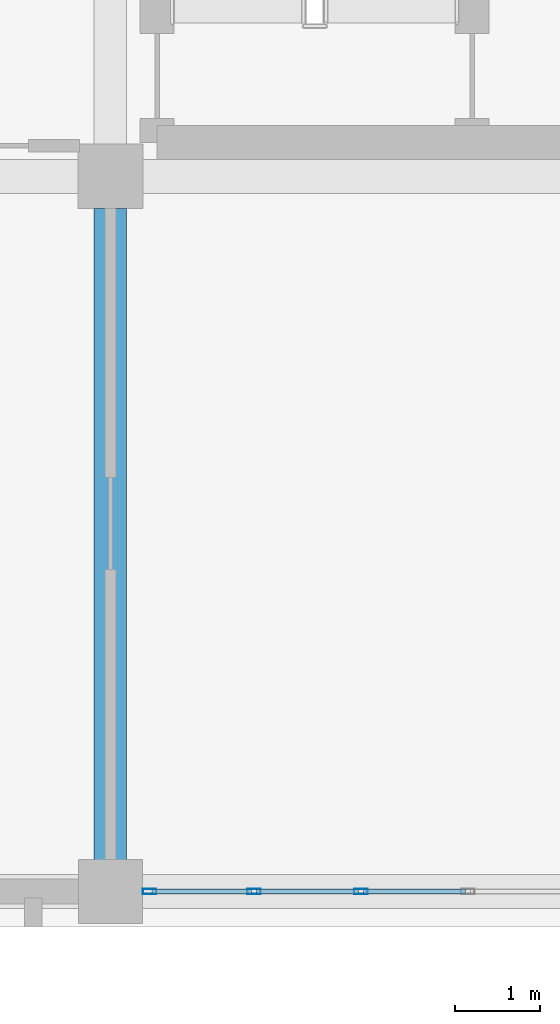
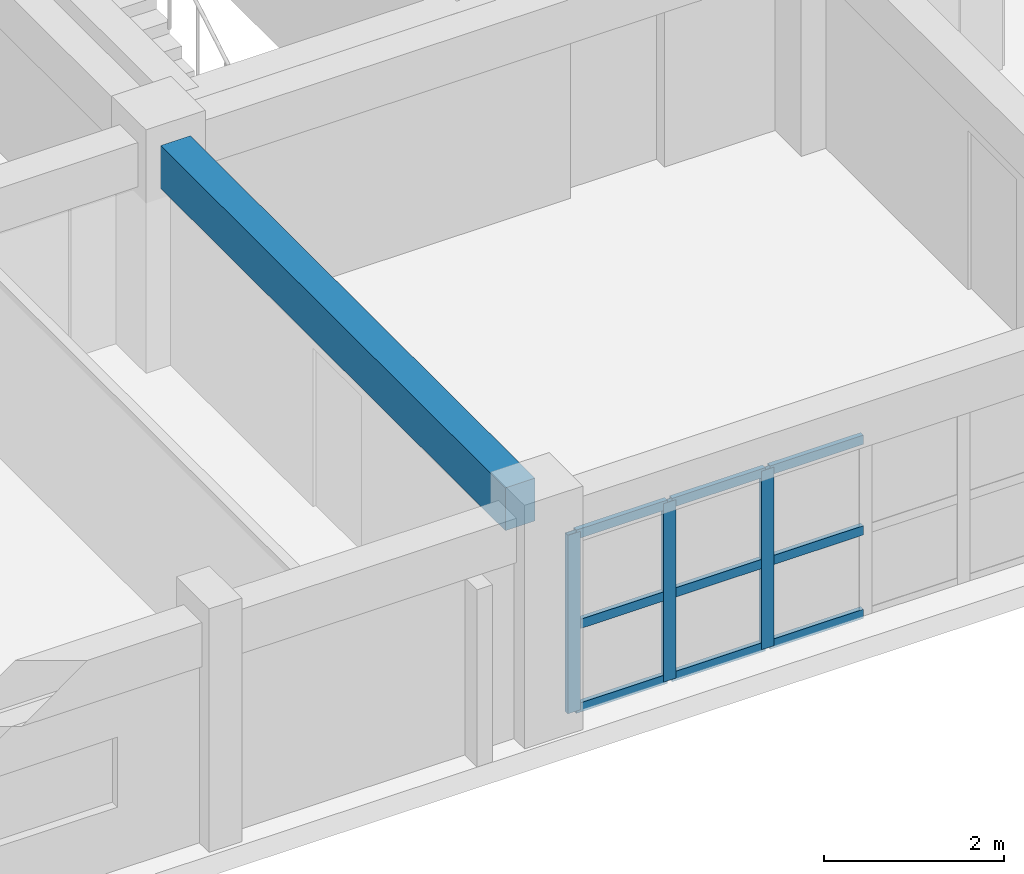
# One storey, part 28 of 200: 12 members, 1 beam, 1 element without a shape of its own.
"""IFC4 building model written with IfcOpenShell, lengths in metres."""

from ifc_helpers import new_model, si_unit, direction, frame, origin, origin_2d, place, context, subcontext, project, spatial, rectangle, hollow_rectangle, extrude, material, layer, layer_set, material_profile, profile_set, type_object, element, aggregate, save


model = new_model("IFC4")

# Units and contexts
model_context = context("Model", 3, precision=1e-05, world=origin(), true_north=direction((0.0, 1.0)))
body_context = subcontext(model_context, "Body", "Model", "MODEL_VIEW")
ifc_project = project(units=[si_unit("LENGTHUNIT", "METRE"), si_unit("AREAUNIT", "SQUARE_METRE"), si_unit("VOLUMEUNIT", "CUBIC_METRE"), si_unit("PLANEANGLEUNIT", "RADIAN"), si_unit("MASSUNIT", "GRAM", prefix="KILO")], contexts=[model_context])

# Site, building, storey
site_placement = place(None, origin())
site = spatial("IfcSite", under=ifc_project, at=site_placement, CompositionType="ELEMENT")
building_placement = place(site_placement, origin())
building = spatial("IfcBuilding", under=site, at=building_placement, Name="Trelvath General Hospital", CompositionType="ELEMENT")
storey_placement = place(building_placement, frame((0.0, 0.0, 4.800048828125)))
storey = spatial("IfcBuildingStorey", under=building, at=storey_placement, Name="L01", CompositionType="ELEMENT", Elevation=4.800048828125)

# Beam
ifc_material_1 = material(Name="Concrete C35/45", Category="concrete")
ifc_material_profile_1 = material_profile(ifc_material_1, rectangle(XDim=0.3798828125, YDim=0.580078125, at=origin_2d()), Name="RCB380x580")
ifc_profile_set_1 = profile_set([ifc_material_profile_1], Name="Concrete C35/45")
beam_type = type_object("IfcBeamType", Name="Beam RC380x580", PredefinedType="BEAM", material=ifc_profile_set_1)
beam_placement = place(storey_placement, frame((42.0, 0.3701171875, 2.72998046875), z_axis=(0.0, 1.0, 0.0), x_axis=(-1.0, 0.0, 0.0)))
element("IfcBeam", 1, at=beam_placement, inside=storey, type_object=beam_type, Name="Grid Beam BY-105A", PredefinedType="BEAM", context=body_context, shape_type="SweptSolid", body=[
    extrude(rectangle(XDim=0.3798828125, YDim=0.580078125, at=origin_2d()), origin(), (0.0, 0.0, 1.0), 7.65478515625),
])

# Curtain wall, members
ifc_material_2 = material(Name="Anodised aluminium and low-E glass", Category="aluminium")
ifc_layer = layer(ifc_material_2, 0.159912109375)
ifc_layer_set = layer_set([ifc_layer], Name="Anodised aluminium and low-E glass")
curtain_wall_type = type_object("IfcCurtainWallType", Name="CW Facade 754 242 16", PredefinedType="USERDEFINED", material=ifc_layer_set)
curtain_wall_placement = place(storey_placement, origin())
curtain_wall = element("IfcCurtainWall", 2, at=curtain_wall_placement, inside=storey, type_object=curtain_wall_type, Name="Facade Curtain Wall CW-014", ObjectType="Unitised Glazed Curtain Wall", PredefinedType="USERDEFINED")
ifc_material_3 = material(Name="Anodised aluminium", Category="aluminium")
ifc_material_profile_2 = material_profile(ifc_material_3, hollow_rectangle(XDim=0.06005859375, YDim=0.159912109375, WallThickness=0.00390625, at=origin_2d()), Name="RHS60x160x4")
ifc_profile_set_2 = profile_set([ifc_material_profile_2], Name="Anodised aluminium")
member_type_1 = type_object("IfcMemberType", Name="CurtainMullion 60x160", PredefinedType="MULLION", material=ifc_profile_set_2)
member_1_placement = place(storey_placement, frame((44.943359375, 0.0, 0.0), z_axis=(0.0, 0.0, 1.0), x_axis=(0.0, -1.0, 0.0)))
member_1 = element("IfcMember", 3, at=member_1_placement, type_object=member_type_1, Name="CW-014 mullion 5", PredefinedType="MULLION", context=body_context, shape_type="SweptSolid", body=[
    extrude(hollow_rectangle(XDim=0.06005859375, YDim=0.159912109375, WallThickness=0.00390625, at=origin_2d()), origin(), (0.0, 0.0, 1.0), 2.419921875),
])
member_2_placement = place(storey_placement, frame((43.686767578125, 0.0, 0.0), z_axis=(0.0, 0.0, 1.0), x_axis=(0.0, -1.0, 0.0)))
member_2 = element("IfcMember", 4, at=member_2_placement, type_object=member_type_1, Name="CW-014 mullion 6", PredefinedType="MULLION", context=body_context, shape_type="SweptSolid", body=[
    extrude(hollow_rectangle(XDim=0.06005859375, YDim=0.159912109375, WallThickness=0.00390625, at=origin_2d()), origin(), (0.0, 0.0, 1.0), 2.419921875),
])
member_3_placement = place(storey_placement, frame((42.4599609375, 0.0, 0.0), z_axis=(0.0, 0.0, 1.0), x_axis=(0.0, -1.0, 0.0)))
member_3 = element("IfcMember", 5, at=member_3_placement, type_object=member_type_1, Name="CW-014 mullion 7", PredefinedType="MULLION", context=body_context, shape_type="SweptSolid", body=[
    extrude(hollow_rectangle(XDim=0.06005859375, YDim=0.159912109375, WallThickness=0.00390625, at=origin_2d()), origin(), (0.0, 0.0, 1.0), 2.419921875),
])
ifc_material_4 = material(Name="Anodised aluminium", Category="aluminium")
ifc_material_profile_3 = material_profile(ifc_material_4, hollow_rectangle(XDim=0.06005859375, YDim=0.125, WallThickness=0.00390625, at=origin_2d()), Name="RHS60x125x4")
ifc_profile_set_3 = profile_set([ifc_material_profile_3], Name="Anodised aluminium")
member_type_2 = type_object("IfcMemberType", Name="CurtainTransom 60x125", PredefinedType="USERDEFINED", material=ifc_profile_set_3)
member_4_placement = place(storey_placement, frame((46.169921875, 0.0, 0.030029296875), z_axis=(-1.0, 0.0, 0.0), x_axis=(0.0, -1.0, 0.0)))
member_4 = element("IfcMember", 6, at=member_4_placement, type_object=member_type_2, Name="CW-014 transom 4.1", ObjectType="TRANSOM", PredefinedType="USERDEFINED", context=body_context, shape_type="SweptSolid", body=[
    extrude(hollow_rectangle(XDim=0.06005859375, YDim=0.125, WallThickness=0.00390625, at=origin_2d()), origin(), (0.0, 0.0, 1.0), 1.196533203125),
])
member_5_placement = place(storey_placement, frame((46.169921875, 0.0, 1.161865234375), z_axis=(-1.0, 0.0, 0.0), x_axis=(0.0, -1.0, 0.0)))
member_5 = element("IfcMember", 7, at=member_5_placement, type_object=member_type_2, Name="CW-014 transom 4.2", ObjectType="TRANSOM", PredefinedType="USERDEFINED", context=body_context, shape_type="SweptSolid", body=[
    extrude(hollow_rectangle(XDim=0.06005859375, YDim=0.125, WallThickness=0.00390625, at=origin_2d()), origin(), (0.0, 0.0, 1.0), 1.196533203125),
])
member_6_placement = place(storey_placement, frame((46.169921875, 0.0, 2.389892578125), z_axis=(-1.0, 0.0, 0.0), x_axis=(0.0, -1.0, 0.0)))
member_6 = element("IfcMember", 8, at=member_6_placement, type_object=member_type_2, Name="CW-014 transom 4.3", ObjectType="TRANSOM", PredefinedType="USERDEFINED", context=body_context, shape_type="SweptSolid", body=[
    extrude(hollow_rectangle(XDim=0.06005859375, YDim=0.125, WallThickness=0.00390625, at=origin_2d()), origin(), (0.0, 0.0, 1.0), 1.196533203125),
])
member_7_placement = place(storey_placement, frame((44.913330078125, 0.0, 0.030029296875), z_axis=(-1.0, 0.0, 0.0), x_axis=(0.0, -1.0, 0.0)))
member_7 = element("IfcMember", 9, at=member_7_placement, type_object=member_type_2, Name="CW-014 transom 5.1", ObjectType="TRANSOM", PredefinedType="USERDEFINED", context=body_context, shape_type="SweptSolid", body=[
    extrude(hollow_rectangle(XDim=0.06005859375, YDim=0.125, WallThickness=0.00390625, at=origin_2d()), origin(), (0.0, 0.0, 1.0), 1.19677734375),
])
member_8_placement = place(storey_placement, frame((44.913330078125, 0.0, 1.161865234375), z_axis=(-1.0, 0.0, 0.0), x_axis=(0.0, -1.0, 0.0)))
member_8 = element("IfcMember", 10, at=member_8_placement, type_object=member_type_2, Name="CW-014 transom 5.2", ObjectType="TRANSOM", PredefinedType="USERDEFINED", context=body_context, shape_type="SweptSolid", body=[
    extrude(hollow_rectangle(XDim=0.06005859375, YDim=0.125, WallThickness=0.00390625, at=origin_2d()), origin(), (0.0, 0.0, 1.0), 1.19677734375),
])
member_9_placement = place(storey_placement, frame((44.913330078125, 0.0, 2.389892578125), z_axis=(-1.0, 0.0, 0.0), x_axis=(0.0, -1.0, 0.0)))
member_9 = element("IfcMember", 11, at=member_9_placement, type_object=member_type_2, Name="CW-014 transom 5.3", ObjectType="TRANSOM", PredefinedType="USERDEFINED", context=body_context, shape_type="SweptSolid", body=[
    extrude(hollow_rectangle(XDim=0.06005859375, YDim=0.125, WallThickness=0.00390625, at=origin_2d()), origin(), (0.0, 0.0, 1.0), 1.19677734375),
])
member_10_placement = place(storey_placement, frame((43.65673828125, 0.0, 0.030029296875), z_axis=(-1.0, 0.0, 0.0), x_axis=(0.0, -1.0, 0.0)))
member_10 = element("IfcMember", 12, at=member_10_placement, type_object=member_type_2, Name="CW-014 transom 6.1", ObjectType="TRANSOM", PredefinedType="USERDEFINED", context=body_context, shape_type="SweptSolid", body=[
    extrude(hollow_rectangle(XDim=0.06005859375, YDim=0.125, WallThickness=0.00390625, at=origin_2d()), origin(), (0.0, 0.0, 1.0), 1.166748046875),
])
member_11_placement = place(storey_placement, frame((43.65673828125, 0.0, 1.161865234375), z_axis=(-1.0, 0.0, 0.0), x_axis=(0.0, -1.0, 0.0)))
member_11 = element("IfcMember", 13, at=member_11_placement, type_object=member_type_2, Name="CW-014 transom 6.2", ObjectType="TRANSOM", PredefinedType="USERDEFINED", context=body_context, shape_type="SweptSolid", body=[
    extrude(hollow_rectangle(XDim=0.06005859375, YDim=0.125, WallThickness=0.00390625, at=origin_2d()), origin(), (0.0, 0.0, 1.0), 1.166748046875),
])
member_12_placement = place(storey_placement, frame((43.65673828125, 0.0, 2.389892578125), z_axis=(-1.0, 0.0, 0.0), x_axis=(0.0, -1.0, 0.0)))
member_12 = element("IfcMember", 14, at=member_12_placement, type_object=member_type_2, Name="CW-014 transom 6.3", ObjectType="TRANSOM", PredefinedType="USERDEFINED", context=body_context, shape_type="SweptSolid", body=[
    extrude(hollow_rectangle(XDim=0.06005859375, YDim=0.125, WallThickness=0.00390625, at=origin_2d()), origin(), (0.0, 0.0, 1.0), 1.166748046875),
])
aggregate(curtain_wall, [member_1, member_2, member_3, member_4, member_5, member_6, member_7, member_8, member_9, member_10, member_11, member_12])

save(model, "model.ifc")
